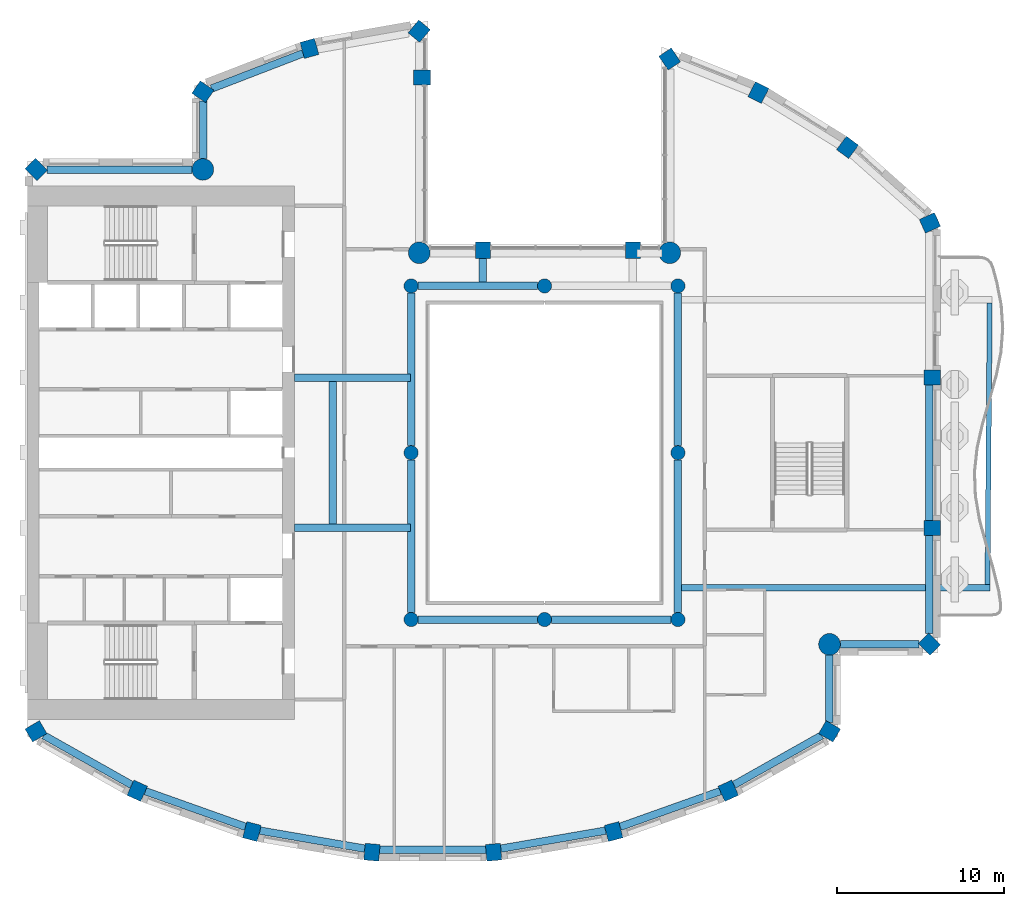
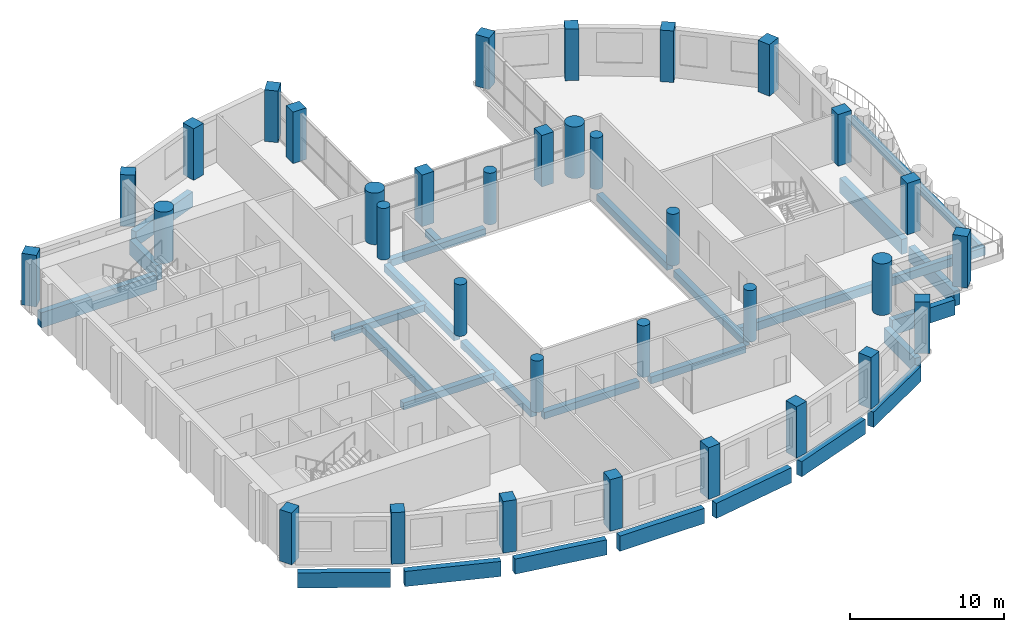
# One storey, part 1 of 14: 34 columns, 27 beams.
"""IFC4 building model written with IfcOpenShell, lengths in metres."""

from ifc_helpers import new_model, si_unit, direction, frame, origin, origin_2d, place, context, subcontext, project, spatial, rectangle, circle, extrude, material, material_profile, profile_set, type_object, element, save


model = new_model("IFC4")

# Units and contexts
model_context = context("Model", 3, precision=1e-05, world=origin(), true_north=direction((0.0, 1.0)))
body_context = subcontext(model_context, "Body", "Model", "MODEL_VIEW")
ifc_project = project(units=[si_unit("LENGTHUNIT", "METRE"), si_unit("AREAUNIT", "SQUARE_METRE"), si_unit("VOLUMEUNIT", "CUBIC_METRE"), si_unit("PLANEANGLEUNIT", "RADIAN"), si_unit("MASSUNIT", "GRAM", prefix="KILO")], contexts=[model_context])

# Site, building, storey
site_placement = place(None, origin())
site = spatial("IfcSite", under=ifc_project, at=site_placement, CompositionType="ELEMENT")
building_placement = place(site_placement, origin())
building = spatial("IfcBuilding", under=site, at=building_placement, Name="Cypress Arch Tower", CompositionType="ELEMENT")
storey_placement = place(building_placement, frame((0.0, 0.0, 247.5)))
storey = spatial("IfcBuildingStorey", under=building, at=storey_placement, Name="L55", CompositionType="ELEMENT", Elevation=247.5)

# Columns
ifc_material_1 = material(Name="Concrete C60/75", Category="concrete")
ifc_material_profile_1 = material_profile(ifc_material_1, rectangle(XDim=0.89990234375, YDim=1.0, at=origin_2d()), Name="RC 900x1000")
ifc_profile_set_1 = profile_set([ifc_material_profile_1], Name="Concrete C60/75")
column_type_1 = type_object("IfcColumnType", Name="Column RC 900x1000 Concrete C60/75", PredefinedType="COLUMN", material=ifc_profile_set_1)
for number, where, z_axis, x_axis, name in (
    (1, (8.5029296875, 23.606201171875, 0.0), (0.0, 0.0, 1.0), (-0.828469606019, -0.560034027451, 0.0), "Column L55 CC00"),
    (2, (6.300048828125, 12.14990234375, 0.0), (0.0, 0.0, 1.0), (-1.0, 0.0, 0.0), "Column L55 CC02"),
    (3, (-2.699951171875, 12.14990234375, 0.0), (0.0, 0.0, 1.0), (-1.0, 0.0, 0.0), "Column L55 CC03"),
    (4, (-6.35009765625, 22.5, 0.0), (0.0, 0.0, 1.0), (0.0, 1.0, 0.0), "Column L55 CC05"),
    (5, (-6.51611328125, 25.27490234375, 0.0), (0.0, 0.0, 1.0), (-0.766063514674, 0.642764880407, 0.0), "Column L55 CC06"),
    (6, (-13.0947265625, 24.241455078125, 0.0), (0.0, 0.0, 1.0), (-0.96345574646, -0.267867550506, 0.0), "Column L55 CC07"),
    (7, (-19.483154296875, 21.645263671875, 0.0), (0.0, 0.0, 1.0), (-0.565892599589, -0.824478966215, 0.0), "Column L55 CC08"),
    (8, (-29.478271484375, 16.978271484375, 0.0), (0.0, 0.0, 1.0), (-0.707106781187, -0.707106781187, 0.0), "Column L55 CC10"),
    (9, (-29.4912109375, -16.702880859375, 0.0), (0.0, 0.0, 1.0), (0.504399289829, -0.86347053014, 0.0), "Column L55 CC11"),
    (10, (-23.4189453125, -20.266845703125, 0.0), (0.0, 0.0, 1.0), (0.909932071487, -0.414757308891, 0.0), "Column L55 CC12"),
    (11, (-16.541748046875, -22.714599609375, 0.0), (0.0, 0.0, 1.0), (0.96735573689, -0.2534223319, 0.0), "Column L55 CC13"),
    (12, (-9.346923828125, -23.95361328125, 0.0), (0.0, 0.0, 1.0), (0.996368206733, -0.085149260784, 0.0), "Column L55 CC14"),
    (13, (-2.052978515625, -23.95361328125, 0.0), (0.0, 0.0, 1.0), (0.996368206733, 0.085149260784, 0.0), "Column L55 CC15"),
    (14, (5.1416015625, -22.714599609375, 0.0), (0.0, 0.0, 1.0), (0.96735573689, 0.2534223319, 0.0), "Column L55 CC16"),
    (15, (12.01904296875, -20.266845703125, 0.0), (0.0, 0.0, 1.0), (0.909932071487, 0.414757308891, 0.0), "Column L55 CC17"),
    (16, (18.09130859375, -16.702880859375, 0.0), (0.0, 0.0, 1.0), (0.504399289829, 0.86347053014, 0.0), "Column L55 CC18"),
    (17, (24.078369140625, -11.478271484375, 0.0), (0.0, 0.0, 1.0), (0.707106781187, 0.707106781187, 0.0), "Column L55 CC20"),
    (18, (24.25, -4.5, 0.0), (0.0, 0.0, 1.0), (0.0, 1.0, 0.0), "Column L55 CC21"),
    (19, (24.25, 4.5, 0.0), (0.0, 0.0, 1.0), (0.0, 1.0, 0.0), "Column L55 CC22"),
    (20, (24.109619140625, 13.77978515625, 0.0), (0.0, 0.0, 1.0), (-0.409765058504, 0.912191096662, 0.0), "Column L55 CC23"),
    (21, (19.168212890625, 18.307861328125, 0.0), (0.0, 0.0, 1.0), (-0.802798546114, 0.596250362144, 0.0), "Column L55 CC24"),
    (22, (13.82568359375, 21.59375, 0.0), (0.0, 0.0, 1.0), (-0.893106499805, 0.44984528452, 0.0), "Column L55 CC25"),
):
    element("IfcColumn", number, at=place(storey_placement, frame(where, z_axis=z_axis, x_axis=x_axis)), inside=storey, type_object=column_type_1, Name=name, PredefinedType="COLUMN", context=body_context, shape_type="SweptSolid", body=[
        extrude(rectangle(XDim=0.89990234375, YDim=1.0, at=origin_2d()), origin(), (0.0, 0.0, 1.0), 4.10009765625),
    ])
ifc_material_2 = material(Name="Concrete C60/75", Category="concrete")
ifc_material_profile_2 = material_profile(ifc_material_2, circle(Radius=0.425048828125, at=origin_2d()), Name="RC D850")
ifc_profile_set_2 = profile_set([ifc_material_profile_2], Name="Concrete C60/75")
column_type_2 = type_object("IfcColumnType", Name="Column RC D850 Concrete C60/75", PredefinedType="COLUMN", material=ifc_profile_set_2)
for number, where, z_axis, x_axis, name in (
    (23, (-7.0, -10.0, 0.0), (0.0, 0.0, 1.0), (1.0, 0.0, 0.0), "Column L55 RNG-L55-G-7-10"),
    (24, (-7.0, 0.0, 0.0), (0.0, 0.0, 1.0), (1.0, 0.0, 0.0), "Column L55 RNG-L55-G-7+0"),
    (25, (-7.0, 10.0, 0.0), (0.0, 0.0, 1.0), (1.0, 0.0, 0.0), "Column L55 RNG-L55-G-7+10"),
    (26, (1.0, -10.0, 0.0), (0.0, 0.0, 1.0), (1.0, 0.0, 0.0), "Column L55 RNG-L55-G+1-10"),
    (27, (1.0, 10.0, 0.0), (0.0, 0.0, 1.0), (1.0, 0.0, 0.0), "Column L55 RNG-L55-G+1+10"),
    (28, (9.0, -10.0, 0.0), (0.0, 0.0, 1.0), (1.0, 0.0, 0.0), "Column L55 RNG-L55-G+9-10"),
    (29, (9.0, 0.0, 0.0), (0.0, 0.0, 1.0), (1.0, 0.0, 0.0), "Column L55 RNG-L55-G+9+0"),
    (30, (9.0, 10.0, 0.0), (0.0, 0.0, 1.0), (1.0, 0.0, 0.0), "Column L55 RNG-L55-G+9+10"),
):
    element("IfcColumn", number, at=place(storey_placement, frame(where, z_axis=z_axis, x_axis=x_axis)), inside=storey, type_object=column_type_2, Name=name, PredefinedType="COLUMN", context=body_context, shape_type="SweptSolid", body=[
        extrude(circle(Radius=0.425048828125, at=origin_2d()), origin(), (0.0, 0.0, 1.0), 4.10009765625),
    ])
ifc_material_3 = material(Name="Concrete C60/75", Category="concrete")
ifc_material_profile_3 = material_profile(ifc_material_3, circle(Radius=0.64990234375, at=origin_2d()), Name="RC D1300")
ifc_profile_set_3 = profile_set([ifc_material_profile_3], Name="Concrete C60/75")
column_type_3 = type_object("IfcColumnType", Name="Mega-column RC D1300 Concrete C60/75", PredefinedType="COLUMN", material=ifc_profile_set_3)
for number, where, z_axis, x_axis, name in (
    (31, (8.51220703125, 11.98779296875, 0.0), (0.0, 0.0, 1.0), (1.0, 0.0, 0.0), "Column L55 CC01"),
    (32, (-6.51220703125, 11.98779296875, 0.0), (0.0, 0.0, 1.0), (1.0, 0.0, 0.0), "Column L55 CC04"),
    (33, (-19.48779296875, 16.98779296875, 0.0), (0.0, 0.0, 1.0), (1.0, 0.0, 0.0), "Column L55 CC09"),
    (34, (18.087890625, -11.48779296875, 0.0), (0.0, 0.0, 1.0), (1.0, 0.0, 0.0), "Column L55 CC19"),
):
    element("IfcColumn", number, at=place(storey_placement, frame(where, z_axis=z_axis, x_axis=x_axis)), inside=storey, type_object=column_type_3, Name=name, PredefinedType="COLUMN", context=body_context, shape_type="SweptSolid", body=[
        extrude(circle(Radius=0.64990234375, at=origin_2d()), origin(), (0.0, 0.0, 1.0), 4.10009765625),
    ])

# Beams
ifc_material_4 = material(Name="Concrete C50/60", Category="concrete")
ifc_material_profile_4 = material_profile(ifc_material_4, rectangle(XDim=0.300048828125, YDim=0.64990234375, at=origin_2d()), Name="RC 300x650")
ifc_profile_set_4 = profile_set([ifc_material_profile_4], Name="Concrete C50/60")
beam_type_1 = type_object("IfcBeamType", Name="Balcony edge beam RC 300x650 Concrete C50/60", PredefinedType="BEAM", material=ifc_profile_set_4)
beam_1_placement = place(storey_placement, frame((27.560791015625, -7.89990234375, -0.625), z_axis=(0.00789551823, 0.99996882991, 0.0), x_axis=(-0.99996882991, 0.00789551823, 0.0)))
element("IfcBeam", 35, at=beam_1_placement, inside=storey, type_object=beam_type_1, Name="Balcony edge beam L55 C17", PredefinedType="BEAM", context=body_context, shape_type="SweptSolid", body=[
    extrude(rectangle(XDim=0.300048828125, YDim=0.64990234375, at=origin_2d()), origin(), (0.0, 0.0, 1.0), 16.883056640625),
])
ifc_material_5 = material(Name="Concrete C50/60", Category="concrete")
ifc_material_profile_5 = material_profile(ifc_material_5, rectangle(XDim=0.39990234375, YDim=0.64990234375, at=origin_2d()), Name="RC 400x650")
ifc_profile_set_5 = profile_set([ifc_material_profile_5], Name="Concrete C50/60")
beam_type_2 = type_object("IfcBeamType", Name="Cantilever beam RC 400x650 Concrete C50/60", PredefinedType="BEAM", material=ifc_profile_set_5)
beam_2_placement = place(storey_placement, frame((9.22509765625, -8.10009765625, -0.625), z_axis=(1.0, 0.0, 0.0), x_axis=(0.0, 1.0, 0.0)))
element("IfcBeam", 36, at=beam_2_placement, inside=storey, type_object=beam_type_2, Name="Cantilever beam L55 C17 1", PredefinedType="BEAM", context=body_context, shape_type="SweptSolid", body=[
    extrude(rectangle(XDim=0.39990234375, YDim=0.64990234375, at=origin_2d()), origin(), (0.0, 0.0, 1.0), 18.48583984375),
])
ifc_material_6 = material(Name="Concrete C50/60", Category="concrete")
ifc_material_profile_6 = material_profile(ifc_material_6, rectangle(XDim=0.449951171875, YDim=0.550048828125, at=origin_2d()), Name="RC 450x550")
ifc_profile_set_6 = profile_set([ifc_material_profile_6], Name="Concrete C50/60")
beam_type_3 = type_object("IfcBeamType", Name="Floor beam RC 450x550 Concrete C50/60", PredefinedType="BEAM", material=ifc_profile_set_6)
for number, where, z_axis, x_axis, name in (
    (37, (-7.0, -9.574951171875, -0.574951171875), (0.0, 1.0, 0.0), (-1.0, 0.0, 0.0), "Floor beam L55 RB001"),
    (38, (-7.0, 0.425048828125, -0.574951171875), (0.0, 1.0, 0.0), (-1.0, 0.0, 0.0), "Floor beam L55 RB002"),
    (39, (9.0, -9.574951171875, -0.574951171875), (0.0, 1.0, 0.0), (-1.0, 0.0, 0.0), "Floor beam L55 RB003"),
    (40, (9.0, 0.425048828125, -0.574951171875), (0.0, 1.0, 0.0), (-1.0, 0.0, 0.0), "Floor beam L55 RB004"),
):
    element("IfcBeam", number, at=place(storey_placement, frame(where, z_axis=z_axis, x_axis=x_axis)), inside=storey, type_object=beam_type_3, Name=name, PredefinedType="BEAM", context=body_context, shape_type="SweptSolid", body=[
        extrude(rectangle(XDim=0.449951171875, YDim=0.550048828125, at=origin_2d()), origin(), (0.0, 0.0, 1.0), 9.14990234375),
    ])
for number, where, z_axis, x_axis, name in (
    (41, (-6.574951171875, -10.0, -0.574951171875), (1.0, 0.0, 0.0), (0.0, 1.0, 0.0), "Floor beam L55 RB005"),
    (42, (1.425048828125, -10.0, -0.574951171875), (1.0, 0.0, 0.0), (0.0, 1.0, 0.0), "Floor beam L55 RB006"),
    (43, (-6.574951171875, 10.0, -0.574951171875), (1.0, 0.0, 0.0), (0.0, 1.0, 0.0), "Floor beam L55 RB007"),
):
    element("IfcBeam", number, at=place(storey_placement, frame(where, z_axis=z_axis, x_axis=x_axis)), inside=storey, type_object=beam_type_3, Name=name, PredefinedType="BEAM", context=body_context, shape_type="SweptSolid", body=[
        extrude(rectangle(XDim=0.449951171875, YDim=0.550048828125, at=origin_2d()), origin(), (0.0, 0.0, 1.0), 7.14990234375),
    ])
for number, where, z_axis, x_axis, name in (
    (44, (-14.0, -4.5, -0.574951171875), (1.0, 0.0, 0.0), (0.0, 1.0, 0.0), "Floor beam L55 FB009"),
    (45, (-14.0, 4.5, -0.574951171875), (1.0, 0.0, 0.0), (0.0, 1.0, 0.0), "Floor beam L55 FB010"),
):
    element("IfcBeam", number, at=place(storey_placement, frame(where, z_axis=z_axis, x_axis=x_axis)), inside=storey, type_object=beam_type_3, Name=name, PredefinedType="BEAM", context=body_context, shape_type="SweptSolid", body=[
        extrude(rectangle(XDim=0.449951171875, YDim=0.550048828125, at=origin_2d()), origin(), (0.0, 0.0, 1.0), 6.949951171875),
    ])
beam_3_placement = place(storey_placement, frame((-11.699951171875, -4.27490234375, -0.574951171875), z_axis=(0.0, 1.0, 0.0), x_axis=(-1.0, 0.0, 0.0)))
element("IfcBeam", 46, at=beam_3_placement, inside=storey, type_object=beam_type_3, Name="Floor beam L55 FB011", PredefinedType="BEAM", context=body_context, shape_type="SweptSolid", body=[
    extrude(rectangle(XDim=0.449951171875, YDim=0.550048828125, at=origin_2d()), origin(), (0.0, 0.0, 1.0), 8.5498046875),
])
beam_4_placement = place(storey_placement, frame((-2.699951171875, 10.22509765625, -0.574951171875), z_axis=(0.0, 1.0, 0.0), x_axis=(-1.0, 0.0, 0.0)))
element("IfcBeam", 47, at=beam_4_placement, inside=storey, type_object=beam_type_3, Name="Floor beam L55 FB012", PredefinedType="BEAM", context=body_context, shape_type="SweptSolid", body=[
    extrude(rectangle(XDim=0.449951171875, YDim=0.550048828125, at=origin_2d()), origin(), (0.0, 0.0, 1.0), 1.4248046875),
])
ifc_material_7 = material(Name="Concrete C50/60", Category="concrete")
ifc_material_profile_7 = material_profile(ifc_material_7, rectangle(XDim=0.449951171875, YDim=1.199951171875, at=origin_2d()), Name="RC 450x1200")
ifc_profile_set_7 = profile_set([ifc_material_profile_7], Name="Concrete C50/60")
beam_type_4 = type_object("IfcBeamType", Name="Spandrel beam RC 450x1200 Concrete C50/60", PredefinedType="SPANDREL", material=ifc_profile_set_7)
beam_5_placement = place(storey_placement, frame((-13.48046875, 23.94921875, -1.550048828125), z_axis=(-0.933138853319, -0.359516175472, 0.0), x_axis=(0.359516175472, -0.933138853319, 0.0)))
element("IfcBeam", 48, at=beam_5_placement, inside=storey, type_object=beam_type_4, Name="Spandrel beam L55 BC04-0", PredefinedType="SPANDREL", context=body_context, shape_type="SweptSolid", body=[
    extrude(rectangle(XDim=0.449951171875, YDim=1.199951171875, at=origin_2d()), origin(), (0.0, 0.0, 1.0), 5.878173828125),
])
beam_6_placement = place(storey_placement, frame((-19.47509765625, 21.09375, -1.550048828125), z_axis=(0.0, -1.0, 0.0), x_axis=(1.0, 0.0, 0.0)))
element("IfcBeam", 49, at=beam_6_placement, inside=storey, type_object=beam_type_4, Name="Spandrel beam L55 BC05-0", PredefinedType="SPANDREL", context=body_context, shape_type="SweptSolid", body=[
    extrude(rectangle(XDim=0.449951171875, YDim=1.199951171875, at=origin_2d()), origin(), (0.0, 0.0, 1.0), 3.456298828125),
])
beam_7_placement = place(storey_placement, frame((-20.137451171875, 16.97509765625, -1.550048828125), z_axis=(-1.0, 0.0, 0.0), x_axis=(0.0, -1.0, 0.0)))
element("IfcBeam", 50, at=beam_7_placement, inside=storey, type_object=beam_type_4, Name="Spandrel beam L55 BC06-0", PredefinedType="SPANDREL", context=body_context, shape_type="SweptSolid", body=[
    extrude(rectangle(XDim=0.449951171875, YDim=1.199951171875, at=origin_2d()), origin(), (0.0, 0.0, 1.0), 8.701171875),
])
beam_8_placement = place(storey_placement, frame((-29.02099609375, -16.94921875, -1.550048828125), z_axis=(0.871059543975, -0.491177433165, 0.0), x_axis=(0.491177433165, 0.871059543975, 0.0)))
element("IfcBeam", 51, at=beam_8_placement, inside=storey, type_object=beam_type_4, Name="Spandrel beam L55 BC08-0", PredefinedType="SPANDREL", context=body_context, shape_type="SweptSolid", body=[
    extrude(rectangle(XDim=0.449951171875, YDim=1.199951171875, at=origin_2d()), origin(), (0.0, 0.0, 1.0), 6.045654296875),
])
beam_9_placement = place(storey_placement, frame((-22.93603515625, -20.2919921875, -1.550048828125), z_axis=(0.942120065582, -0.33527568064, 0.0), x_axis=(0.33527568064, 0.942120065582, 0.0)))
element("IfcBeam", 52, at=beam_9_placement, inside=storey, type_object=beam_type_4, Name="Spandrel beam L55 BC09-0", PredefinedType="SPANDREL", context=body_context, shape_type="SweptSolid", body=[
    extrude(rectangle(XDim=0.449951171875, YDim=1.199951171875, at=origin_2d()), origin(), (0.0, 0.0, 1.0), 6.373046875),
])
beam_10_placement = place(storey_placement, frame((-16.061279296875, -22.656982421875, -1.550048828125), z_axis=(0.985502990778, -0.169658053646, 0.0), x_axis=(0.169658053646, 0.985502990778, 0.0)))
element("IfcBeam", 53, at=beam_10_placement, inside=storey, type_object=beam_type_4, Name="Spandrel beam L55 BC10-0", PredefinedType="SPANDREL", context=body_context, shape_type="SweptSolid", body=[
    extrude(rectangle(XDim=0.449951171875, YDim=1.199951171875, at=origin_2d()), origin(), (0.0, 0.0, 1.0), 6.373291015625),
])
beam_11_placement = place(storey_placement, frame((-8.883544921875, -23.81494140625, -1.550048828125), z_axis=(1.0, 0.0, 0.0), x_axis=(0.0, 1.0, 0.0)))
element("IfcBeam", 54, at=beam_11_placement, inside=storey, type_object=beam_type_4, Name="Spandrel beam L55 BC11-0", PredefinedType="SPANDREL", context=body_context, shape_type="SweptSolid", body=[
    extrude(rectangle(XDim=0.449951171875, YDim=1.199951171875, at=origin_2d()), origin(), (0.0, 0.0, 1.0), 6.366943359375),
])
beam_12_placement = place(storey_placement, frame((-1.619873046875, -23.73828125, -1.550048828125), z_axis=(0.985504093315, 0.169651649149, 0.0), x_axis=(-0.169651649149, 0.985504093315, 0.0)))
element("IfcBeam", 55, at=beam_12_placement, inside=storey, type_object=beam_type_4, Name="Spandrel beam L55 BC12-0", PredefinedType="SPANDREL", context=body_context, shape_type="SweptSolid", body=[
    extrude(rectangle(XDim=0.449951171875, YDim=1.199951171875, at=origin_2d()), origin(), (0.0, 0.0, 1.0), 6.37353515625),
])
beam_13_placement = place(storey_placement, frame((5.531982421875, -22.4287109375, -1.550048828125), z_axis=(0.942115759102, 0.335287781541, 0.0), x_axis=(-0.335287781541, 0.942115759102, 0.0)))
element("IfcBeam", 56, at=beam_13_placement, inside=storey, type_object=beam_type_4, Name="Spandrel beam L55 BC13-0", PredefinedType="SPANDREL", context=body_context, shape_type="SweptSolid", body=[
    extrude(rectangle(XDim=0.449951171875, YDim=1.199951171875, at=origin_2d()), origin(), (0.0, 0.0, 1.0), 6.372802734375),
])
beam_14_placement = place(storey_placement, frame((12.35498046875, -19.918701171875, -1.550048828125), z_axis=(0.871059543975, 0.491177433165, 0.0), x_axis=(-0.491177433165, 0.871059543975, 0.0)))
element("IfcBeam", 57, at=beam_14_placement, inside=storey, type_object=beam_type_4, Name="Spandrel beam L55 BC14-0", PredefinedType="SPANDREL", context=body_context, shape_type="SweptSolid", body=[
    extrude(rectangle(XDim=0.449951171875, YDim=1.199951171875, at=origin_2d()), origin(), (0.0, 0.0, 1.0), 6.045654296875),
])
beam_15_placement = place(storey_placement, frame((18.074951171875, -16.172119140625, -1.550048828125), z_axis=(0.0, 1.0, 0.0), x_axis=(-1.0, 0.0, 0.0)))
element("IfcBeam", 58, at=beam_15_placement, inside=storey, type_object=beam_type_4, Name="Spandrel beam L55 BC15-0", PredefinedType="SPANDREL", context=body_context, shape_type="SweptSolid", body=[
    extrude(rectangle(XDim=0.449951171875, YDim=1.199951171875, at=origin_2d()), origin(), (0.0, 0.0, 1.0), 4.03466796875),
])
beam_16_placement = place(storey_placement, frame((18.737548828125, -11.47509765625, -1.550048828125), z_axis=(1.0, 0.0, 0.0), x_axis=(0.0, 1.0, 0.0)))
element("IfcBeam", 59, at=beam_16_placement, inside=storey, type_object=beam_type_4, Name="Spandrel beam L55 BC16-0", PredefinedType="SPANDREL", context=body_context, shape_type="SweptSolid", body=[
    extrude(rectangle(XDim=0.449951171875, YDim=1.199951171875, at=origin_2d()), origin(), (0.0, 0.0, 1.0), 4.701171875),
])
beam_17_placement = place(storey_placement, frame((24.074951171875, -10.838623046875, -1.550048828125), z_axis=(0.0, 1.0, 0.0), x_axis=(-1.0, 0.0, 0.0)))
element("IfcBeam", 60, at=beam_17_placement, inside=storey, type_object=beam_type_4, Name="Spandrel beam L55 BC17-0", PredefinedType="SPANDREL", context=body_context, shape_type="SweptSolid", body=[
    extrude(rectangle(XDim=0.449951171875, YDim=1.199951171875, at=origin_2d()), origin(), (0.0, 0.0, 1.0), 5.888671875),
])
beam_18_placement = place(storey_placement, frame((24.074951171875, -4.050048828125, -1.550048828125), z_axis=(0.0, 1.0, 0.0), x_axis=(-1.0, 0.0, 0.0)))
element("IfcBeam", 61, at=beam_18_placement, inside=storey, type_object=beam_type_4, Name="Spandrel beam L55 BC17-1", PredefinedType="SPANDREL", context=body_context, shape_type="SweptSolid", body=[
    extrude(rectangle(XDim=0.449951171875, YDim=1.199951171875, at=origin_2d()), origin(), (0.0, 0.0, 1.0), 8.10009765625),
])

save(model, "model.ifc")
